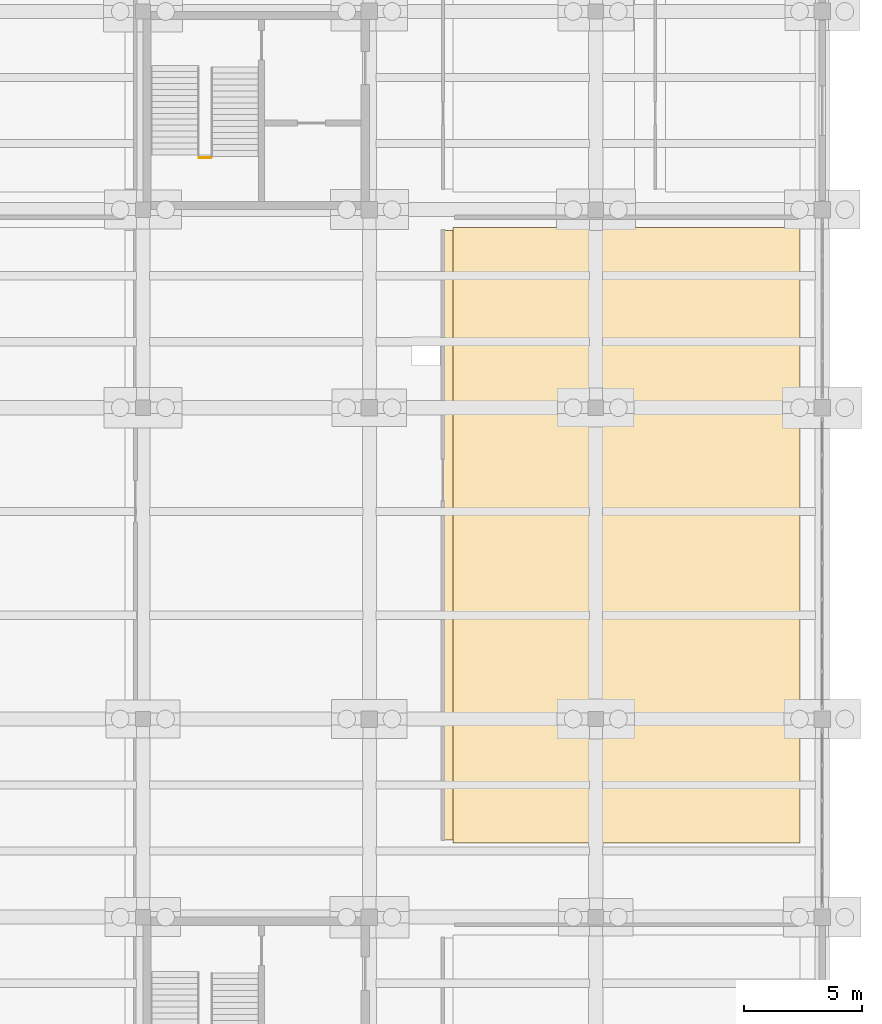
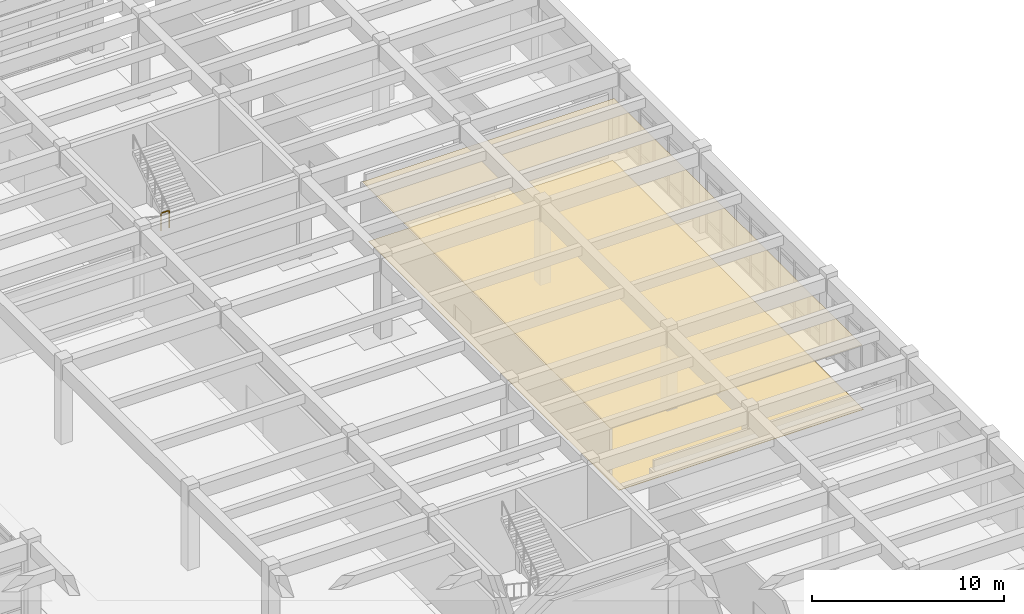
# One storey, part 99 of 102: 2 coverings, 1 railing.
"""IFC4 building model written with IfcOpenShell, lengths in metres."""

from ifc_helpers import new_model, si_unit, direction, frame, origin, origin_2d, place, context, subcontext, project, spatial, polyline, circle, outline, extrude, material, layer, layer_set, type_object, element, save


model = new_model("IFC4")

# Units and contexts
model_context = context("Model", 3, precision=1e-05, world=origin(), true_north=direction((0.0, 1.0)))
body_context = subcontext(model_context, "Body", "Model", "MODEL_VIEW")
ifc_project = project(units=[si_unit("LENGTHUNIT", "METRE"), si_unit("AREAUNIT", "SQUARE_METRE"), si_unit("VOLUMEUNIT", "CUBIC_METRE"), si_unit("PLANEANGLEUNIT", "RADIAN"), si_unit("MASSUNIT", "GRAM", prefix="KILO")], contexts=[model_context])

# Site, building, storey
site_placement = place(None, origin())
site = spatial("IfcSite", under=ifc_project, at=site_placement, CompositionType="ELEMENT")
building_placement = place(site_placement, origin())
building = spatial("IfcBuilding", under=site, at=building_placement, Name="Kolvemor Railside Polytechnic", CompositionType="ELEMENT")
storey_placement = place(building_placement, origin())
storey = spatial("IfcBuildingStorey", under=building, at=storey_placement, Name="L00", CompositionType="ELEMENT", Elevation=0.0)

# Coverings
ifc_material_1 = material(Name="Perforated acoustic mineral-fibre and timber-slat ceiling", Category="wood")
ifc_layer_1 = layer(ifc_material_1, 0.030029296875, Name="COV-CEIL-2")
ifc_layer_set_1 = layer_set([ifc_layer_1], Name="Perforated acoustic mineral-fibre and timber-slat ceiling")
covering_type_1 = type_object("IfcCoveringType", Name="COV-CEIL-2", PredefinedType="CEILING", material=ifc_layer_set_1)
covering_1_placement = place(storey_placement, frame((0.0, 0.0, 4.010009765625)))
element("IfcCovering", 1, at=covering_1_placement, inside=storey, type_object=covering_type_1, Name="Refectory Kitchen and Servery Acoustic Ceiling", PredefinedType="CEILING", context=body_context, shape_type="SweptSolid", body=[
    extrude(outline(polyline([(166.320068359375, 33.280029296875), (181.449951171875, 33.280029296875), (181.449951171875, 59.1201171875), (166.320068359375, 59.1201171875), (166.320068359375, 33.280029296875)])), origin(), (0.0, 0.0, 1.0), 0.030029296875),
])
ifc_material_2 = material(Name="Polished coral-aggregate terrazzo and laboratory epoxy flooring")
ifc_layer_2 = layer(ifc_material_2, 0.02490234375, Name="COV-FLR-2")
ifc_layer_set_2 = layer_set([ifc_layer_2], Name="Polished coral-aggregate terrazzo and laboratory epoxy flooring")
covering_type_2 = type_object("IfcCoveringType", Name="COV-FLR-2", PredefinedType="FLOORING", material=ifc_layer_set_2)
covering_2_placement = place(storey_placement, origin())
element("IfcCovering", 2, at=covering_2_placement, inside=storey, type_object=covering_type_2, Name="Refectory Kitchen and Servery Floor Finish", PredefinedType="FLOORING", context=body_context, shape_type="SweptSolid", body=[
    extrude(outline(polyline([(166.75, 33.14990234375), (181.449951171875, 33.14990234375), (181.449951171875, 59.25), (166.75, 59.25), (166.75, 33.14990234375)])), origin(), (0.0, 0.0, 1.0), 0.02490234375),
])

# Railing
ifc_material_3 = material(Name="AISI 316 marine stainless-steel balustrade guard", Category="steel")
railing_type = type_object("IfcRailingType", Name="RLG-GUARD-1120", PredefinedType="BALUSTRADE", material=ifc_material_3)
railing_placement = place(storey_placement, frame((155.97998046875, 62.199951171875, 2.699951171875)))
element("IfcRailing", 3, at=railing_placement, inside=storey, type_object=railing_type, Name="ST-7 Half-Landing Slot Guard L00", PredefinedType="BALUSTRADE", context=body_context, shape_type="SweptSolid", body=[
    extrude(circle(Radius=0.02392578125, at=origin_2d()), frame((0.054931640625, 0.0, 1.09619140625), z_axis=(1.0, 0.0, 0.0), x_axis=(0.0, 1.0, 0.0)), (0.0, 0.0, 1.0), 0.389892578125),
    extrude(circle(Radius=0.02099609375, at=origin_2d()), origin(), (0.0, 0.0, 1.0), 1.05712890625),
    extrude(circle(Radius=0.02099609375, at=origin_2d()), frame((0.5, 0.0, 0.0)), (0.0, 0.0, 1.0), 1.05712890625),
])

save(model, "model.ifc")
